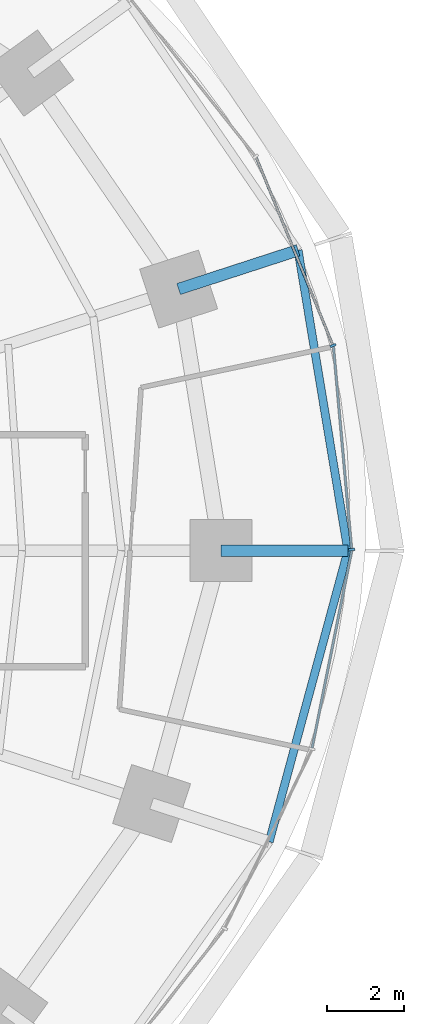
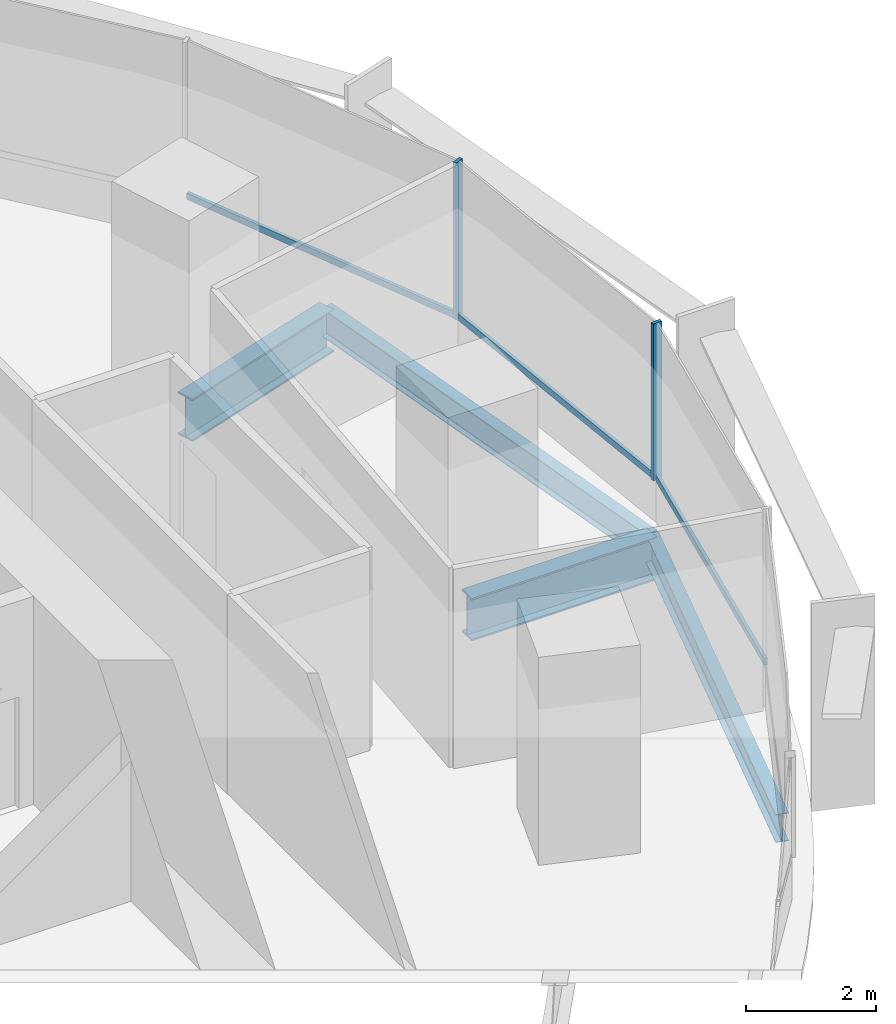
# One storey, part 6 of 14: 5 members, 4 beams, 2 elements without a shape of their own.
"""IFC4 building model written with IfcOpenShell, lengths in metres."""

from ifc_helpers import new_model, si_unit, direction, frame, origin, origin_2d, place, context, subcontext, project, spatial, rectangle, i_section, extrude, material, material_profile, profile_set, type_object, element, aggregate, save


model = new_model("IFC4")

# Units and contexts
model_context = context("Model", 3, precision=1e-05, world=origin(), true_north=direction((0.0, 1.0)))
body_context = subcontext(model_context, "Body", "Model", "MODEL_VIEW")
ifc_project = project(units=[si_unit("LENGTHUNIT", "METRE"), si_unit("AREAUNIT", "SQUARE_METRE"), si_unit("VOLUMEUNIT", "CUBIC_METRE"), si_unit("PLANEANGLEUNIT", "RADIAN"), si_unit("MASSUNIT", "GRAM", prefix="KILO")], contexts=[model_context])

# Site, building, storey
site_placement = place(None, origin())
site = spatial("IfcSite", under=ifc_project, at=site_placement, CompositionType="ELEMENT")
building_placement = place(site_placement, origin())
building = spatial("IfcBuilding", under=site, at=building_placement, Name="Marramba Exchange Tower", CompositionType="ELEMENT")
storey_placement = place(building_placement, frame((0.0, 0.0, 115.800048828125)))
storey = spatial("IfcBuildingStorey", under=building, at=storey_placement, Name="L27", CompositionType="ELEMENT", Elevation=115.800048828125)

# Beams
ifc_material_1 = material(Name="Steel AS/NZS 3679.2 grade 300", Category="steel")
ifc_material_profile_1 = material_profile(ifc_material_1, i_section(OverallWidth=0.300048828125, OverallDepth=0.800048828125, WebThickness=0.013916015625, FlangeThickness=0.031982421875, at=origin_2d()), Name="800WB192")
ifc_profile_set_1 = profile_set([ifc_material_profile_1], Name="Steel AS/NZS 3679.2 grade 300")
beam_type_1 = type_object("IfcBeamType", Name="Cantilever girder 800WB192", PredefinedType="BEAM", material=ifc_profile_set_1)
beam_1_placement = place(storey_placement, frame((21.89990234375, 0.0, -0.56005859375), z_axis=(1.0, 0.0, 0.0), x_axis=(0.0, 1.0, 0.0)))
element("IfcBeam", 1, at=beam_1_placement, inside=storey, type_object=beam_type_1, Name="Cantilever girder L27 TC01", PredefinedType="BEAM", context=body_context, shape_type="SweptSolid", body=[
    extrude(i_section(OverallWidth=0.300048828125, OverallDepth=0.800048828125, WebThickness=0.013916015625, FlangeThickness=0.031982421875, at=origin_2d()), origin(), (0.0, 0.0, 1.0), 3.281982421875),
])
beam_2_placement = place(storey_placement, frame((20.808349609375, 6.760986328125, -0.56005859375), z_axis=(0.95105562578, 0.309019735087, 0.0), x_axis=(-0.309019735087, 0.95105562578, 0.0)))
element("IfcBeam", 2, at=beam_2_placement, inside=storey, type_object=beam_type_1, Name="Cantilever girder L27 TC02", PredefinedType="BEAM", context=body_context, shape_type="SweptSolid", body=[
    extrude(i_section(OverallWidth=0.300048828125, OverallDepth=0.800048828125, WebThickness=0.013916015625, FlangeThickness=0.031982421875, at=origin_2d()), origin(), (0.0, 0.0, 1.0), 3.24560546875),
])

# Curtain wall, members
ifc_material_2 = material(Name="Aluminium framing, bronze anodised", Category="aluminium")
curtain_wall_type = type_object("IfcCurtainWallType", Name="Office ribbon curtain wall", PredefinedType="USERDEFINED", material=ifc_material_2)
curtain_wall_1_placement = place(storey_placement, origin())
curtain_wall_1 = element("IfcCurtainWall", 3, at=curtain_wall_1_placement, inside=storey, type_object=curtain_wall_type, Name="Curtain wall CW4 L27 F01-F05", ObjectType="RIBBON CURTAIN WALL", PredefinedType="USERDEFINED")
ifc_material_3 = material(Name="Aluminium mullion, bronze anodised", Category="aluminium")
ifc_material_profile_2 = material_profile(ifc_material_3, rectangle(XDim=0.159912109375, YDim=0.06005859375, at=origin_2d()), Name="CW4 mullion 60x160")
ifc_profile_set_2 = profile_set([ifc_material_profile_2], Name="Aluminium mullion, bronze anodised")
member_type_1 = type_object("IfcMemberType", Name="Office ribbon curtain wall mullion", PredefinedType="MULLION", material=ifc_profile_set_2)
member_1_placement = place(storey_placement, frame((25.279296875, 0.02978515625, 0.800048828125), z_axis=(0.0, 0.0, 1.0), x_axis=(-0.995994646311, -0.089412887889, 0.0)))
member_1 = element("IfcMember", 4, at=member_1_placement, type_object=member_type_1, Name="CW4 mullion 1", PredefinedType="MULLION", context=body_context, shape_type="SweptSolid", body=[
    extrude(rectangle(XDim=0.159912109375, YDim=0.06005859375, at=origin_2d()), origin(), (0.0, 0.0, 1.0), 2.93994140625),
])
member_2_placement = place(storey_placement, frame((24.79736328125, 5.301025390625, 0.800048828125), z_axis=(0.0, 0.0, 1.0), x_axis=(-0.925878584668, -0.377821183171, 0.0)))
member_2 = element("IfcMember", 5, at=member_2_placement, type_object=member_type_1, Name="CW4 mullion 1", PredefinedType="MULLION", context=body_context, shape_type="SweptSolid", body=[
    extrude(rectangle(XDim=0.159912109375, YDim=0.06005859375, at=origin_2d()), origin(), (0.0, 0.0, 1.0), 2.93994140625),
])
ifc_material_4 = material(Name="Aluminium transom, bronze anodised", Category="aluminium")
ifc_material_profile_3 = material_profile(ifc_material_4, rectangle(XDim=0.06005859375, YDim=0.1201171875, at=origin_2d()), Name="CW4 transom 60x120")
ifc_profile_set_3 = profile_set([ifc_material_profile_3], Name="Aluminium transom, bronze anodised")
member_type_2 = type_object("IfcMemberType", Name="Office ribbon curtain wall transom", PredefinedType="USERDEFINED", material=ifc_profile_set_3)
member_3_placement = place(storey_placement, frame((25.276611328125, 0.059814453125, 0.829833984375), z_axis=(-0.089412838135, 0.995994650777, 0.0), x_axis=(-0.995994650777, -0.089412838135, 0.0)))
member_3 = element("IfcMember", 6, at=member_3_placement, type_object=member_type_2, Name="CW4 sill transom", ObjectType="TRANSOM", PredefinedType="USERDEFINED", context=body_context, shape_type="SweptSolid", body=[
    extrude(rectangle(XDim=0.06005859375, YDim=0.1201171875, at=origin_2d()), origin(), (0.0, 0.0, 1.0), 5.234375),
])
member_4_placement = place(storey_placement, frame((24.785888671875, 5.328857421875, 0.829833984375), z_axis=(-0.377838039034, 0.925871706155, 0.0), x_axis=(-0.925871706155, -0.377838039034, 0.0)))
member_4 = element("IfcMember", 7, at=member_4_placement, type_object=member_type_2, Name="CW4 sill transom", ObjectType="TRANSOM", PredefinedType="USERDEFINED", context=body_context, shape_type="SweptSolid", body=[
    extrude(rectangle(XDim=0.06005859375, YDim=0.1201171875, at=origin_2d()), origin(), (0.0, 0.0, 1.0), 5.2158203125),
])
aggregate(curtain_wall_1, [member_1, member_3, member_2, member_4])

# Curtain wall, member
curtain_wall_2_placement = place(storey_placement, origin())
curtain_wall_2 = element("IfcCurtainWall", 8, at=curtain_wall_2_placement, inside=storey, type_object=curtain_wall_type, Name="Curtain wall CW4 L27 F26-F30", ObjectType="RIBBON CURTAIN WALL", PredefinedType="USERDEFINED")
member_5_placement = place(storey_placement, frame((24.258056640625, -5.094970703125, 0.829833984375), z_axis=(0.197028520451, 0.980397757101, 0.0), x_axis=(-0.980397757101, 0.197028520451, 0.0)))
member_5 = element("IfcMember", 9, at=member_5_placement, type_object=member_type_2, Name="CW4 sill transom", ObjectType="TRANSOM", PredefinedType="USERDEFINED", context=body_context, shape_type="SweptSolid", body=[
    extrude(rectangle(XDim=0.06005859375, YDim=0.1201171875, at=origin_2d()), origin(), (0.0, 0.0, 1.0), 5.19677734375),
])
aggregate(curtain_wall_2, [member_5])

# Beams
ifc_material_5 = material(Name="Steel AS/NZS 3679.1 grade 300", Category="steel")
ifc_material_profile_4 = material_profile(ifc_material_5, i_section(OverallWidth=0.208984375, OverallDepth=0.528076171875, WebThickness=0.009521484375, FlangeThickness=0.01318359375, FilletRadius=0.013916015625, at=origin_2d()), Name="530UB82.0")
ifc_profile_set_4 = profile_set([ifc_material_profile_4], Name="Steel AS/NZS 3679.1 grade 300")
beam_type_2 = type_object("IfcBeamType", Name="Slab edge beam 530UB82.0", PredefinedType="SPANDREL", material=ifc_profile_set_4)
beam_3_placement = place(storey_placement, frame((25.181884765625, 0.0, -0.424072265625), z_axis=(-0.163518559175, 0.986540258076, 0.0), x_axis=(-0.986540258076, -0.163518559175, 0.0)))
element("IfcBeam", 10, at=beam_3_placement, inside=storey, type_object=beam_type_2, Name="Slab edge beam L27 TC01-TC02", PredefinedType="SPANDREL", context=body_context, shape_type="SweptSolid", body=[
    extrude(i_section(OverallWidth=0.208984375, OverallDepth=0.528076171875, WebThickness=0.009521484375, FlangeThickness=0.01318359375, FilletRadius=0.013916015625, at=origin_2d()), origin(), (0.0, 0.0, 1.0), 7.869873046875),
])
beam_4_placement = place(storey_placement, frame((23.148681640625, -7.521484375, -0.424072265625), z_axis=(0.260953221575, 0.965351446961, 0.0), x_axis=(-0.965351446961, 0.260953221575, 0.0)))
element("IfcBeam", 11, at=beam_4_placement, inside=storey, type_object=beam_type_2, Name="Slab edge beam L27 TC20-TC01", PredefinedType="SPANDREL", context=body_context, shape_type="SweptSolid", body=[
    extrude(i_section(OverallWidth=0.208984375, OverallDepth=0.528076171875, WebThickness=0.009521484375, FlangeThickness=0.01318359375, FilletRadius=0.013916015625, at=origin_2d()), origin(), (0.0, 0.0, 1.0), 7.79150390625),
])

save(model, "model.ifc")
